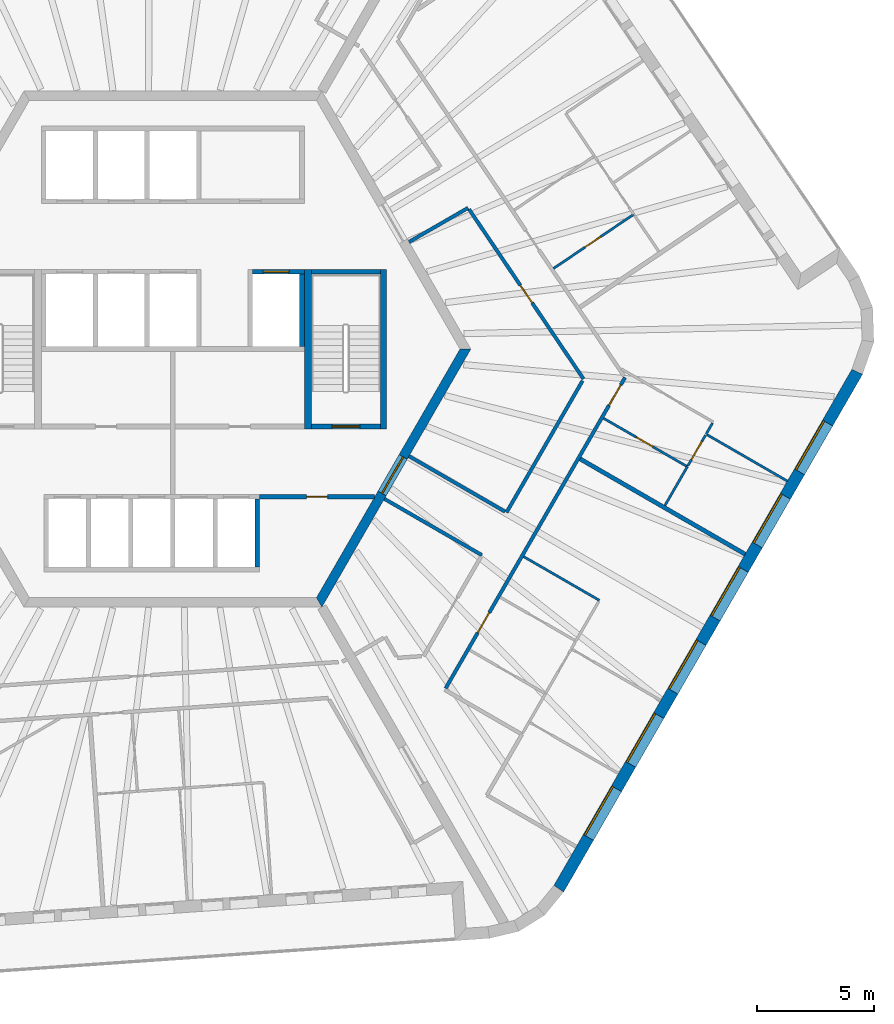
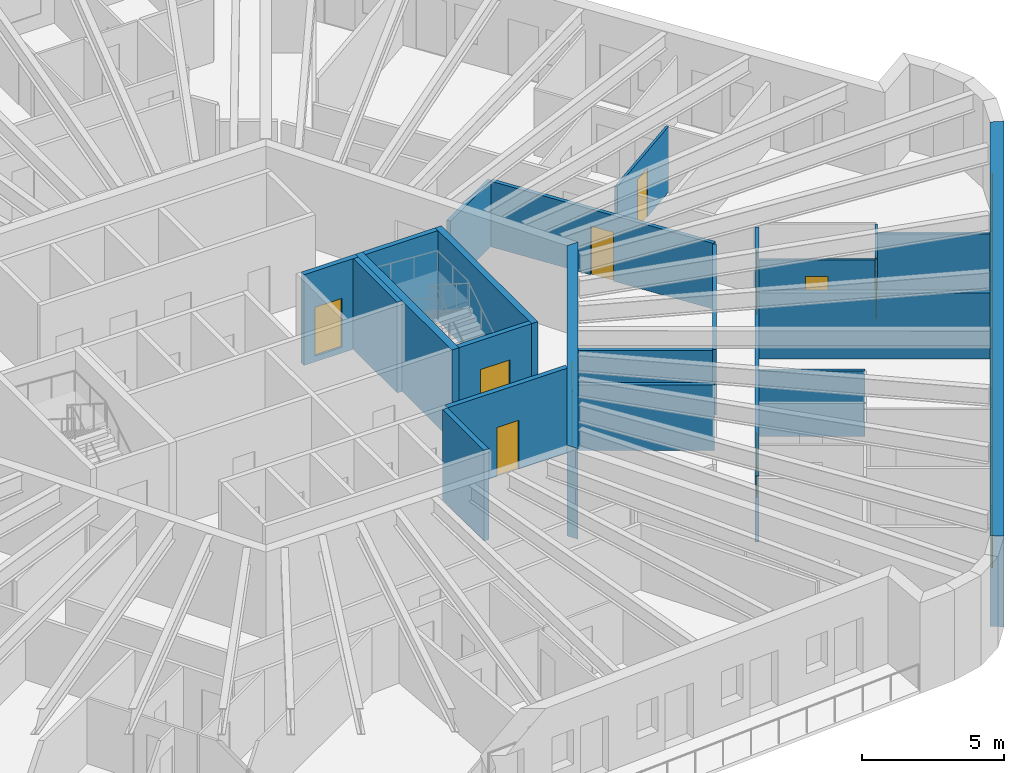
# One storey, part 7 of 12: 24 walls, 10 doors, 6 windows, 16 openings.
"""IFC4 building model written with IfcOpenShell, lengths in metres."""

import ifcopenshell
import ifcopenshell.guid

model = None  # the IFC model being written
_history = None  # IfcOwnerHistory: only IFC2X3 demands one
_inside = {}  # id of a spatial element -> (the spatial element, [elements in it])
_under = {}  # id of a project, library or spatial element -> (it, [spatial elements below it])
_declared = {}  # id of a project -> (the project, [libraries it declares])
_typed = {}  # id of a type object -> (the type object, [elements of that type])
_made_of = {}  # id of a material, layer set ... -> (it, [elements and type objects made of it])


def new_model(schema):
    """Start an empty IFC model of exactly this schema.

    Asked for "IFC4X3", IfcOpenShell would pick the latest addendum, in which some entities
    have other attributes; the version numbers below select the first issue.
    IFC2X3 requires an IfcOwnerHistory on every rooted entity: one is made here for all.
    """
    global model, _history
    if schema == "IFC4X3":
        model = ifcopenshell.file(schema_version=(4, 3, 0, 0))
    else:
        model = ifcopenshell.file(schema=schema)
    _inside.clear()
    _under.clear()
    _declared.clear()
    _typed.clear()
    _made_of.clear()
    _history = None
    if model.schema == "IFC2X3":
        org = make("IfcOrganization", Name="unknown")
        user = make(
            "IfcPersonAndOrganization",
            ThePerson=make("IfcPerson", FamilyName="unknown"),
            TheOrganization=org,
        )
        app = make(
            "IfcApplication",
            ApplicationDeveloper=org,
            Version="unknown",
            ApplicationFullName="unknown",
            ApplicationIdentifier="unknown",
        )
        _history = make(
            "IfcOwnerHistory",
            OwningUser=user,
            OwningApplication=app,
            ChangeAction="ADDED",
            CreationDate=0,
        )
    return model


def make(cls, **values):
    """One entity of the class cls with the attributes given. An attribute that is None is left unset."""
    return model.create_entity(
        cls, **{name: value for name, value in values.items() if value is not None}
    )


def rooted(cls, **values):
    """An entity with a GlobalId (a new one), such as an element, a storey or a relation."""
    return make(cls, GlobalId=ifcopenshell.guid.new(), OwnerHistory=_history, **values)


def si_unit(unit_type, name, prefix=None):
    """IfcSIUnit, for example si_unit("LENGTHUNIT", "METRE", prefix="MILLI")."""
    return make("IfcSIUnit", UnitType=unit_type, Prefix=prefix, Name=name)


def assignment(units):
    """IfcUnitAssignment: the units of a project."""
    return None if units is None else make("IfcUnitAssignment", Units=units)


def point(xyz):
    """IfcCartesianPoint."""
    return None if xyz is None else make("IfcCartesianPoint", Coordinates=xyz)


def direction(xyz):
    """IfcDirection."""
    return None if xyz is None else make("IfcDirection", DirectionRatios=xyz)


def frame(location, z_axis=None, x_axis=None):
    """IfcAxis2Placement3D, a coordinate frame: its origin and axes. An axis left out is left unset."""
    return make(
        "IfcAxis2Placement3D",
        Location=point(location),
        Axis=direction(z_axis),
        RefDirection=direction(x_axis),
    )


def frame_2d(location, x_axis=None):
    """IfcAxis2Placement2D, a coordinate frame in the plane: its origin and x axis."""
    return make(
        "IfcAxis2Placement2D", Location=point(location), RefDirection=direction(x_axis)
    )


def origin():
    """The frame at (0, 0, 0) with its axes left unset."""
    return frame((0.0, 0.0, 0.0))


def place(relative_to, where):
    """IfcLocalPlacement: puts the frame where relative to a parent placement (None: the world)."""
    return make(
        "IfcLocalPlacement", PlacementRelTo=relative_to, RelativePlacement=where
    )


def context(
    kind, dimensions, precision=None, world=None, true_north=None, identifier=None
):
    """IfcGeometricRepresentationContext, for example the 3D "Model" context."""
    return make(
        "IfcGeometricRepresentationContext",
        ContextIdentifier=identifier,
        ContextType=kind,
        CoordinateSpaceDimension=dimensions,
        Precision=precision,
        WorldCoordinateSystem=world,
        TrueNorth=true_north,
    )


def subcontext(parent, identifier, kind, view, scale=None):
    """IfcGeometricRepresentationSubContext, for example "Body" below "Model"."""
    return make(
        "IfcGeometricRepresentationSubContext",
        ContextIdentifier=identifier,
        ContextType=kind,
        ParentContext=parent,
        TargetScale=scale,
        TargetView=view,
    )


def project(units=None, contexts=None):
    """IfcProject with its units and contexts."""
    return rooted(
        "IfcProject",
        Name="project",
        RepresentationContexts=contexts,
        UnitsInContext=assignment(units),
    )


def spatial(cls, under=None, at=None, **own):
    """A site, building, storey or space (cls), placed at a placement, below another one or the project."""
    s = rooted(cls, ObjectPlacement=at, **own)
    if under is not None:
        _under.setdefault(under.id(), (under, []))[1].append(s)
    return s


def polyline(points):
    """IfcPolyline through the points."""
    return make("IfcPolyline", Points=[point(p) for p in points])


def profile(cls, at=None, kind="AREA", **sizes):
    """A parametric profile (cls). Its sizes go by their IFC names, for example OverallWidth=200.0."""
    return make(cls, ProfileType=kind, Position=at, **sizes)


def rectangle(**sizes):
    """IfcRectangleProfileDef."""
    return profile("IfcRectangleProfileDef", **sizes)


def outline(outer, holes=None, kind="AREA"):
    """IfcArbitraryClosedProfileDef: a profile drawn as a closed curve; with holes, ...WithVoids."""
    if holes is None:
        return make("IfcArbitraryClosedProfileDef", ProfileType=kind, OuterCurve=outer)
    return make(
        "IfcArbitraryProfileDefWithVoids",
        ProfileType=kind,
        OuterCurve=outer,
        InnerCurves=holes,
    )


def extrude(swept, where, along, depth):
    """IfcExtrudedAreaSolid: the profile swept, set in the frame where, extruded along a direction by depth."""
    return make(
        "IfcExtrudedAreaSolid",
        SweptArea=swept,
        Position=where,
        ExtrudedDirection=direction(along),
        Depth=depth,
    )


def shape(context_of_items, identifier, shape_type, items):
    """IfcShapeRepresentation: the items that make up one representation, for example the "Body"."""
    return make(
        "IfcShapeRepresentation",
        ContextOfItems=context_of_items,
        RepresentationIdentifier=identifier,
        RepresentationType=shape_type,
        Items=items,
    )


def material(Name=None, Category=None):
    """IfcMaterial."""
    return make("IfcMaterial", Name=Name, Category=Category)


def layer(
    of_material, thickness, ventilated=None, Name=None, Category=None, Priority=None
):
    """IfcMaterialLayer: one layer of a wall or slab, of a material (None: an air gap)."""
    return make(
        "IfcMaterialLayer",
        Material=of_material,
        LayerThickness=thickness,
        IsVentilated=ventilated,
        Name=Name,
        Category=Category,
        Priority=Priority,
    )


def layer_set(layers, Name=None):
    """IfcMaterialLayerSet."""
    return make("IfcMaterialLayerSet", MaterialLayers=layers, LayerSetName=Name)


def made_of(thing, what):
    """Note that an element or type object is made of a material, layer set ...; save() writes the relation."""
    if what is not None:
        _made_of.setdefault(what.id(), (what, []))[1].append(thing)
    return thing


def type_object(cls, material=None, **own):
    """A type object (cls), such as IfcWallType, which elements share."""
    return made_of(rooted(cls, **own), material)


def element(
    cls,
    number,
    at=None,
    inside=None,
    cuts=None,
    type_object=None,
    material=None,
    context=None,
    identifier="Body",
    shape_type=None,
    held_by="IfcProductDefinitionShape",
    body=None,
    shapes=None,
    **own,
):
    """One element of the class cls, such as IfcWall. Its Tag is "e" and its number.

    at: its placement. inside: the storey or other place that contains it. cuts: it is an
    opening in that element (IfcRelVoidsElement). A single representation is given by context,
    identifier, shape_type and body (its items); several are given by shapes. held_by: the class
    of the entity that holds the representations. save() writes the other relations.
    """
    e = rooted(cls, Tag="e%d" % number, ObjectPlacement=at, **own)
    if body is not None:
        shapes = [shape(context, identifier, shape_type, body)]
    if shapes is not None:
        e.Representation = make(held_by, Representations=shapes)
    if inside is not None:
        _inside.setdefault(inside.id(), (inside, []))[1].append(e)
    if cuts is not None:
        rooted(
            "IfcRelVoidsElement", RelatingBuildingElement=cuts, RelatedOpeningElement=e
        )
    if type_object is not None:
        _typed.setdefault(type_object.id(), (type_object, []))[1].append(e)
    return made_of(e, material)


def fill(opening, filler):
    """IfcRelFillsElement: the door or window that sits in an opening."""
    return rooted(
        "IfcRelFillsElement",
        RelatingOpeningElement=opening,
        RelatedBuildingElement=filler,
    )


def aggregate(whole, parts):
    """IfcRelAggregates: a whole, such as a stair, and the parts it consists of."""
    return rooted("IfcRelAggregates", RelatingObject=whole, RelatedObjects=parts)


def save(model, path):
    """Write the relations noted so far, then the file.

    IfcRelAggregates (storeys below a building ...), IfcRelContainedInSpatialStructure (elements
    in a storey), IfcRelDefinesByType, IfcRelAssociatesMaterial and IfcRelDeclares: one each for
    every whole, place, type object, material and project.
    """
    for whole, parts in _under.values():
        aggregate(whole, parts)
    for where, things in _inside.values():
        rooted(
            "IfcRelContainedInSpatialStructure",
            RelatedElements=things,
            RelatingStructure=where,
        )
    for kind, things in _typed.values():
        rooted("IfcRelDefinesByType", RelatedObjects=things, RelatingType=kind)
    for what, things in _made_of.values():
        rooted("IfcRelAssociatesMaterial", RelatedObjects=things, RelatingMaterial=what)
    for by, libraries in _declared.values():
        rooted("IfcRelDeclares", RelatingContext=by, RelatedDefinitions=libraries)
    model.write(path)


model = new_model("IFC4")

# Units and contexts
model_context = context("Model", 3, precision=1e-05, world=origin(), true_north=direction((0.0, 1.0)))
body_context = subcontext(model_context, "Body", "Model", "MODEL_VIEW")
ifc_project = project(units=[si_unit("LENGTHUNIT", "METRE"), si_unit("AREAUNIT", "SQUARE_METRE"), si_unit("VOLUMEUNIT", "CUBIC_METRE"), si_unit("PLANEANGLEUNIT", "RADIAN"), si_unit("MASSUNIT", "GRAM", prefix="KILO")], contexts=[model_context])

# Site, building, storey
site_placement = place(None, origin())
site = spatial("IfcSite", under=ifc_project, at=site_placement, CompositionType="ELEMENT")
building_placement = place(site_placement, origin())
building = spatial("IfcBuilding", under=site, at=building_placement, Name="Tarnside Tower", CompositionType="ELEMENT")
storey_placement = place(building_placement, frame((0.0, 0.0, 264.0)))
storey = spatial("IfcBuildingStorey", under=building, at=storey_placement, Name="L63", CompositionType="ELEMENT", Elevation=264.0)

# Wall
ifc_material_1 = material(Name="Gypsum board partition on steel studs", Category="steel")
ifc_layer_1 = layer(ifc_material_1, 0.10009765625)
ifc_layer_set_1 = layer_set([ifc_layer_1], Name="Bathroom wall 100")
wall_type_1 = type_object("IfcWallType", Name="Bathroom wall 100", PredefinedType="PARTITIONING", material=ifc_layer_set_1)
wall_1_placement = place(storey_placement, frame((14.9541015625, -8.8486328125, 0.0), z_axis=(0.0, 0.0, 1.0), x_axis=(0.866028424924, -0.499994767197, 0.0)))
element("IfcWall", 1, at=wall_1_placement, inside=storey, type_object=wall_type_1, Name="Bathroom wall 20141", PredefinedType="PARTITIONING", context=body_context, shape_type="SweptSolid", body=[
    extrude(rectangle(XDim=3.72509765625, YDim=0.10009765625, at=frame_2d((1.862548828125, 0.0))), origin(), (0.0, 0.0, 1.0), 2.823486328125),
])

# Wall, opening, door
wall_2_placement = place(storey_placement, frame((18.359619140625, -2.9501953125, 0.0), z_axis=(0.0, 0.0, 1.0), x_axis=(0.866019999656, -0.500009360108, 0.0)))
wall_2 = element("IfcWall", 2, at=wall_2_placement, inside=storey, type_object=wall_type_1, Name="Bathroom wall 20156", PredefinedType="PARTITIONING", context=body_context, shape_type="SweptSolid", body=[
    extrude(rectangle(XDim=4.125, YDim=0.10009765625, at=frame_2d((2.0625, 0.0))), origin(), (0.0, 0.0, 1.0), 2.823486328125),
])
opening_1_placement = place(wall_2_placement, frame((1.625, 0.0, 0.0)))
opening_1 = element("IfcOpeningElement", 3, at=opening_1_placement, cuts=wall_2, Name="Opening D-B1", PredefinedType="OPENING", context=body_context, shape_type="SweptSolid", body=[
    extrude(rectangle(XDim=0.800048828125, YDim=2.10009765625, at=frame_2d((0.39990234375, 1.050048828125))), frame((0.0, 0.06005859375, 0.0), z_axis=(0.0, -1.0, 0.0), x_axis=(1.0, 0.0, 0.0)), (0.0, 0.0, 1.0), 0.1201171875),
])
ifc_material_2 = material(Name="Timber door leaf", Category="wood")
door_type_1 = type_object("IfcDoorType", Name="Bathroom door 800", OperationType="NOTDEFINED", PredefinedType="DOOR", material=ifc_material_2)
door_1_placement = place(opening_1_placement, origin())
door_1 = element("IfcDoor", 4, at=door_1_placement, inside=storey, type_object=door_type_1, Name="Bathroom door 20062", OperationType="SINGLE_SWING_RIGHT", OverallHeight=2.10009765625, OverallWidth=0.800048828125, PredefinedType="DOOR", context=body_context, shape_type="SweptSolid", body=[
    extrude(rectangle(XDim=0.800048828125, YDim=2.10009765625, at=frame_2d((0.39990234375, 1.050048828125))), frame((0.0, 0.02490234375, 0.0), z_axis=(0.0, -1.0, 0.0), x_axis=(1.0, 0.0, 0.0)), (0.0, 0.0, 1.0), 0.050048828125),
])
fill(opening_1, door_1)

# Wall
wall_3_placement = place(storey_placement, frame((20.97705078125, -6.666748046875, 0.0), z_axis=(0.0, 0.0, 1.0), x_axis=(0.49994353734, 0.866058000062, 0.0)))
element("IfcWall", 5, at=wall_3_placement, inside=storey, type_object=wall_type_1, Name="Bathroom wall 20158", PredefinedType="PARTITIONING", context=body_context, shape_type="SweptSolid", body=[
    extrude(rectangle(XDim=1.911865234375, YDim=0.10009765625, at=frame_2d((0.9560546875, 0.0))), origin(), (0.0, 0.0, 1.0), 2.823486328125),
])

# Wall, opening, door
wall_4_placement = place(storey_placement, frame((16.227294921875, 3.43701171875, 0.0), z_axis=(0.0, 0.0, 1.0), x_axis=(0.829033204172, 0.559199379811, 0.0)))
wall_4 = element("IfcWall", 6, at=wall_4_placement, inside=storey, type_object=wall_type_1, Name="Bathroom wall 20163", PredefinedType="PARTITIONING", context=body_context, shape_type="SweptSolid", body=[
    extrude(rectangle(XDim=4.125, YDim=0.10009765625, at=frame_2d((2.0625, 0.0))), origin(), (0.0, 0.0, 1.0), 2.823486328125),
])
opening_2_placement = place(wall_4_placement, frame((1.625, 0.0, 0.0)))
opening_2 = element("IfcOpeningElement", 7, at=opening_2_placement, cuts=wall_4, Name="Opening D-B1", PredefinedType="OPENING", context=body_context, shape_type="SweptSolid", body=[
    extrude(rectangle(XDim=0.800048828125, YDim=2.10009765625, at=frame_2d((0.39990234375, 1.050048828125))), frame((0.0, 0.06005859375, 0.0), z_axis=(0.0, -1.0, 0.0), x_axis=(1.0, 0.0, 0.0)), (0.0, 0.0, 1.0), 0.1201171875),
])
door_2_placement = place(opening_2_placement, origin())
door_2 = element("IfcDoor", 8, at=door_2_placement, inside=storey, type_object=door_type_1, Name="Bathroom door 20066", OperationType="SINGLE_SWING_RIGHT", OverallHeight=2.10009765625, OverallWidth=0.800048828125, PredefinedType="DOOR", context=body_context, shape_type="SweptSolid", body=[
    extrude(rectangle(XDim=0.800048828125, YDim=2.10009765625, at=frame_2d((0.39990234375, 1.050048828125))), frame((0.0, 0.02490234375, 0.0), z_axis=(0.0, -1.0, 0.0), x_axis=(1.0, 0.0, 0.0)), (0.0, 0.0, 1.0), 0.050048828125),
])
fill(opening_2, door_2)

ifc_material_3 = material(Name="Concrete C40/50", Category="concrete")
ifc_layer_2 = layer(ifc_material_3, 0.199951171875)
ifc_layer_set_2 = layer_set([ifc_layer_2], Name="Core room partition 200 C40/50")
wall_type_2 = type_object("IfcWallType", Name="Core room partition 200 C40/50", PredefinedType="PARTITIONING", material=ifc_layer_set_2)
wall_5_placement = place(storey_placement, frame((3.699951171875, -6.300048828125, 0.0), z_axis=(0.0, 0.0, 1.0), x_axis=(1.0, 0.0, 0.0)))
wall_5 = element("IfcWall", 9, at=wall_5_placement, inside=storey, type_object=wall_type_2, Name="L63 core partition R4X", PredefinedType="PARTITIONING", context=body_context, shape_type="SweptSolid", body=[
    extrude(rectangle(XDim=4.902587890625, YDim=0.199951171875, at=frame_2d((2.451171875, 0.0))), origin(), (0.0, 0.0, 1.0), 3.64990234375),
])
opening_3_placement = place(wall_5_placement, frame((2.001220703125, 0.0, 0.0)))
opening_3 = element("IfcOpeningElement", 10, at=opening_3_placement, cuts=wall_5, Name="Opening CD-room", PredefinedType="OPENING", context=body_context, shape_type="SweptSolid", body=[
    extrude(rectangle(XDim=0.89990234375, YDim=2.10009765625, at=frame_2d((0.449951171875, 1.050048828125))), frame((0.0, 0.10986328125, 0.0), z_axis=(0.0, -1.0, 0.0), x_axis=(1.0, 0.0, 0.0)), (0.0, 0.0, 1.0), 0.219970703125),
])
ifc_material_4 = material(Name="Steel fire door", Category="steel")
door_type_2 = type_object("IfcDoorType", Name="Room door FD60 900x2100", OperationType="NOTDEFINED", PredefinedType="DOOR", material=ifc_material_4)
door_3_placement = place(opening_3_placement, origin())
door_3 = element("IfcDoor", 11, at=door_3_placement, inside=storey, type_object=door_type_2, Name="L63 core room door RX", OperationType="SINGLE_SWING_LEFT", OverallHeight=2.10009765625, OverallWidth=0.89990234375, PredefinedType="DOOR", context=body_context, shape_type="SweptSolid", body=[
    extrude(rectangle(XDim=0.89990234375, YDim=2.10009765625, at=frame_2d((0.449951171875, 1.050048828125))), frame((0.0, 0.02490234375, 0.0), z_axis=(0.0, -1.0, 0.0), x_axis=(1.0, 0.0, 0.0)), (0.0, 0.0, 1.0), 0.050048828125),
])
fill(opening_3, door_3)

ifc_material_5 = material(Name="Concrete C60/75", Category="concrete")
ifc_layer_3 = layer(ifc_material_5, 0.39990234375)
ifc_layer_set_3 = layer_set([ifc_layer_3], Name="Core wall Z3 400 C60/75")
wall_type_3 = type_object("IfcWallType", Name="Core wall Z3 400 C60/75", PredefinedType="SHEAR", material=ifc_layer_set_3)
wall_6_placement = place(storey_placement, frame((6.2353515625, -10.800048828125, -0.14990234375), z_axis=(0.0, 0.0, 1.0), x_axis=(0.499996419489, 0.866027470984, 0.0)))
wall_6 = element("IfcWall", 12, at=wall_6_placement, inside=storey, type_object=wall_type_3, Name="L63 core wall face 5", PredefinedType="SHEAR", context=body_context, shape_type="SweptSolid", body=[
    extrude(outline(polyline([(-0.115478515625, -0.199951171875), (12.586181640625, -0.199951171875), (12.355224609375, 0.199951171875), (0.115478515625, 0.199951171875), (-0.115478515625, -0.199951171875)])), origin(), (0.0, 0.0, 1.0), 3.89990234375),
])
opening_4_placement = place(wall_6_placement, frame((5.3642578125, 0.0, 0.14990234375)))
opening_4 = element("IfcOpeningElement", 13, at=opening_4_placement, cuts=wall_6, Name="Opening CD-FFL", PredefinedType="OPENING", context=body_context, shape_type="SweptSolid", body=[
    extrude(rectangle(XDim=1.800048828125, YDim=2.39990234375, at=frame_2d((0.89990234375, 1.199951171875))), frame((0.0, 0.2099609375, 0.0), z_axis=(0.0, -1.0, 0.0), x_axis=(1.0, 0.0, 0.0)), (0.0, 0.0, 1.0), 0.419921875),
])
door_type_3 = type_object("IfcDoorType", Name="Firefighting lobby double door FD60S 1800x2400", OperationType="NOTDEFINED", PredefinedType="DOOR", material=ifc_material_4)
door_4_placement = place(opening_4_placement, origin())
door_4 = element("IfcDoor", 14, at=door_4_placement, inside=storey, type_object=door_type_3, Name="L63 core door P4", OperationType="DOUBLE_DOOR_SINGLE_SWING", OverallHeight=2.39990234375, OverallWidth=1.800048828125, PredefinedType="DOOR", context=body_context, shape_type="SweptSolid", body=[
    extrude(rectangle(XDim=1.800048828125, YDim=2.39990234375, at=frame_2d((0.89990234375, 1.199951171875))), frame((0.0, 0.02490234375, 0.0), z_axis=(0.0, -1.0, 0.0), x_axis=(1.0, 0.0, 0.0)), (0.0, 0.0, 1.0), 0.050048828125),
])
fill(opening_4, door_4)

# Wall, openings, doors
ifc_layer_4 = layer(ifc_material_1, 0.14990234375)
ifc_layer_set_4 = layer_set([ifc_layer_4], Name="Corridor wall 150 EI 60")
wall_type_4 = type_object("IfcWallType", Name="Corridor wall 150 EI 60", PredefinedType="PARTITIONING", material=ifc_layer_set_4)
wall_7_placement = place(storey_placement, frame((11.626708984375, -14.4619140625, 0.0), z_axis=(0.0, 0.0, 1.0), x_axis=(0.499994634027, 0.866028501808, 0.0)))
wall_7 = element("IfcWall", 15, at=wall_7_placement, inside=storey, type_object=wall_type_4, Name="Corridor wall 20052", PredefinedType="PARTITIONING", context=body_context, shape_type="SweptSolid", body=[
    extrude(rectangle(XDim=15.296142578125, YDim=0.14990234375, at=frame_2d((7.64794921875, 0.0))), origin(), (0.0, 0.0, 1.0), 2.823486328125),
])
opening_5_placement = place(wall_7_placement, frame((2.72509765625, 0.0, 0.0)))
opening_5 = element("IfcOpeningElement", 16, at=opening_5_placement, cuts=wall_7, Name="Opening D-E1", PredefinedType="OPENING", context=body_context, shape_type="SweptSolid", body=[
    extrude(rectangle(XDim=1.0, YDim=2.10009765625, at=frame_2d((0.5, 1.050048828125))), frame((0.0, 0.0849609375, 0.0), z_axis=(0.0, -1.0, 0.0), x_axis=(1.0, 0.0, 0.0)), (0.0, 0.0, 1.0), 0.169921875),
])
opening_6_placement = place(wall_7_placement, frame((13.93603515625, 0.0, 0.0)))
opening_6 = element("IfcOpeningElement", 17, at=opening_6_placement, cuts=wall_7, Name="Opening D-E1", PredefinedType="OPENING", context=body_context, shape_type="SweptSolid", body=[
    extrude(rectangle(XDim=1.0, YDim=2.10009765625, at=frame_2d((0.5, 1.050048828125))), frame((0.0, 0.0849609375, 0.0), z_axis=(0.0, -1.0, 0.0), x_axis=(1.0, 0.0, 0.0)), (0.0, 0.0, 1.0), 0.169921875),
])
door_type_4 = type_object("IfcDoorType", Name="Unit entrance door 1000 FD30S", OperationType="NOTDEFINED", PredefinedType="DOOR", material=ifc_material_2)
door_5_placement = place(opening_5_placement, origin())
door_5 = element("IfcDoor", 18, at=door_5_placement, inside=storey, type_object=door_type_4, Name="Unit door 20050", OperationType="SINGLE_SWING_LEFT", OverallHeight=2.10009765625, OverallWidth=1.0, PredefinedType="DOOR", context=body_context, shape_type="SweptSolid", body=[
    extrude(rectangle(XDim=1.0, YDim=2.10009765625, at=frame_2d((0.5, 1.050048828125))), frame((0.0, 0.02490234375, 0.0), z_axis=(0.0, -1.0, 0.0), x_axis=(1.0, 0.0, 0.0)), (0.0, 0.0, 1.0), 0.050048828125),
])
fill(opening_5, door_5)
door_6_placement = place(opening_6_placement, origin())
door_6 = element("IfcDoor", 19, at=door_6_placement, inside=storey, type_object=door_type_4, Name="Unit door 20061", OperationType="SINGLE_SWING_LEFT", OverallHeight=2.10009765625, OverallWidth=1.0, PredefinedType="DOOR", context=body_context, shape_type="SweptSolid", body=[
    extrude(rectangle(XDim=1.0, YDim=2.10009765625, at=frame_2d((0.5, 1.050048828125))), frame((0.0, 0.02490234375, 0.0), z_axis=(0.0, -1.0, 0.0), x_axis=(1.0, 0.0, 0.0)), (0.0, 0.0, 1.0), 0.050048828125),
])
fill(opening_6, door_6)

# Wall
wall_8_placement = place(storey_placement, frame((10.065673828125, 4.565673828125, 0.0), z_axis=(0.0, 0.0, 1.0), x_axis=(0.866034661658, 0.49998396455, 0.0)))
element("IfcWall", 20, at=wall_8_placement, inside=storey, type_object=wall_type_4, Name="Corridor wall 20069", PredefinedType="PARTITIONING", context=body_context, shape_type="SweptSolid", body=[
    extrude(rectangle(XDim=2.9091796875, YDim=0.14990234375, at=frame_2d((1.45458984375, 0.0))), origin(), (0.0, 0.0, 1.0), 2.823486328125),
])

# Wall, opening, door
wall_9_placement = place(storey_placement, frame((12.627197265625, 5.9580078125, 0.0), z_axis=(0.0, 0.0, 1.0), x_axis=(0.559185493191, -0.829042570804, 0.0)))
wall_9 = element("IfcWall", 21, at=wall_9_placement, inside=storey, type_object=wall_type_4, Name="Corridor wall 20070", PredefinedType="PARTITIONING", context=body_context, shape_type="SweptSolid", body=[
    extrude(rectangle(XDim=8.726806640625, YDim=0.14990234375, at=frame_2d((4.36328125, 0.0))), origin(), (0.0, 0.0, 1.0), 2.823486328125),
])
opening_7_placement = place(wall_9_placement, frame((3.913330078125, 0.0, 0.0)))
opening_7 = element("IfcOpeningElement", 22, at=opening_7_placement, cuts=wall_9, Name="Opening D-S1", PredefinedType="OPENING", context=body_context, shape_type="SweptSolid", body=[
    extrude(rectangle(XDim=0.89990234375, YDim=2.10009765625, at=frame_2d((0.449951171875, 1.050048828125))), frame((0.0, 0.0849609375, 0.0), z_axis=(0.0, -1.0, 0.0), x_axis=(1.0, 0.0, 0.0)), (0.0, 0.0, 1.0), 0.169921875),
])
door_type_5 = type_object("IfcDoorType", Name="Service room door 900 FD30S", OperationType="NOTDEFINED", PredefinedType="DOOR", material=ifc_material_2)
door_7_placement = place(opening_7_placement, origin())
door_7 = element("IfcDoor", 23, at=door_7_placement, inside=storey, type_object=door_type_5, Name="Service door 20075", OperationType="SINGLE_SWING_RIGHT", OverallHeight=2.10009765625, OverallWidth=0.89990234375, PredefinedType="DOOR", context=body_context, shape_type="SweptSolid", body=[
    extrude(rectangle(XDim=0.89990234375, YDim=2.10009765625, at=frame_2d((0.449951171875, 1.050048828125))), frame((0.0, 0.02490234375, 0.0), z_axis=(0.0, -1.0, 0.0), x_axis=(1.0, 0.0, 0.0)), (0.0, 0.0, 1.0), 0.050048828125),
])
fill(opening_7, door_7)

# Walls
wall_10_placement = place(storey_placement, frame((17.46533203125, -1.34912109375, 0.0), z_axis=(0.0, 0.0, 1.0), x_axis=(-0.500001610943, -0.866024473704, 0.0)))
element("IfcWall", 24, at=wall_10_placement, inside=storey, type_object=wall_type_4, Name="Corridor wall 20071", PredefinedType="PARTITIONING", context=body_context, shape_type="SweptSolid", body=[
    extrude(rectangle(XDim=6.4853515625, YDim=0.14990234375, at=frame_2d((3.24267578125, 0.0))), origin(), (0.0, 0.0, 1.0), 2.823486328125),
])
wall_11_placement = place(storey_placement, frame((14.15771484375, -6.92822265625, 0.0), z_axis=(0.0, 0.0, 1.0), x_axis=(-0.866024684746, 0.500001245408, 0.0)))
element("IfcWall", 25, at=wall_11_placement, inside=storey, type_object=wall_type_4, Name="Corridor wall 20072", PredefinedType="PARTITIONING", context=body_context, shape_type="SweptSolid", body=[
    extrude(rectangle(XDim=4.72509765625, YDim=0.14990234375, at=frame_2d((2.362548828125, 0.0))), origin(), (0.0, 0.0, 1.0), 2.823486328125),
])
wall_12_placement = place(storey_placement, frame((9.015625, -6.38427734375, 0.0), z_axis=(0.0, 0.0, 1.0), x_axis=(0.866015339567, -0.500017431331, 0.0)))
element("IfcWall", 26, at=wall_12_placement, inside=storey, type_object=wall_type_4, Name="Corridor wall 20073", PredefinedType="PARTITIONING", context=body_context, shape_type="SweptSolid", body=[
    extrude(rectangle(XDim=4.800048828125, YDim=0.14990234375, at=frame_2d((2.39990234375, 0.0))), origin(), (0.0, 0.0, 1.0), 2.823486328125),
])
ifc_layer_5 = layer(ifc_material_1, 0.179931640625)
ifc_layer_set_5 = layer_set([ifc_layer_5], Name="Demising wall 180 EI 60")
wall_type_5 = type_object("IfcWallType", Name="Demising wall 180 EI 60", PredefinedType="PARTITIONING", material=ifc_layer_set_5)
wall_13_placement = place(storey_placement, frame((24.39599609375, -8.744873046875, 0.0), z_axis=(0.0, 0.0, 1.0), x_axis=(-0.866022959057, 0.500004234368, 0.0)))
element("IfcWall", 27, at=wall_13_placement, inside=storey, type_object=wall_type_5, Name="Demising wall 20143", PredefinedType="PARTITIONING", context=body_context, shape_type="SweptSolid", body=[
    extrude(rectangle(XDim=8.125, YDim=0.179931640625, at=frame_2d((4.0625, 0.0))), origin(), (0.0, 0.0, 1.0), 2.823486328125),
])

# Wall, opening, door
ifc_layer_6 = layer(ifc_material_3, 0.199951171875)
ifc_layer_set_6 = layer_set([ifc_layer_6], Name="Lift shaft wall 200 C40/50")
wall_type_6 = type_object("IfcWallType", Name="Lift shaft wall 200 C40/50", PredefinedType="SHEAR", material=ifc_layer_set_6)
wall_14_placement = place(storey_placement, frame((3.39990234375, 3.300048828125, -0.25), z_axis=(0.0, 0.0, 1.0), x_axis=(1.0, 0.0, 0.0)))
wall_14 = element("IfcWall", 28, at=wall_14_placement, inside=storey, type_object=wall_type_6, Name="L63 lift shaft front wall R2 2", PredefinedType="SHEAR", context=body_context, shape_type="SweptSolid", body=[
    extrude(rectangle(XDim=2.2001953125, YDim=0.199951171875, at=frame_2d((1.10009765625, 0.0))), origin(), (0.0, 0.0, 1.0), 3.89990234375),
])
opening_8_placement = place(wall_14_placement, frame((0.449951171875, 0.0, 0.25)))
opening_8 = element("IfcOpeningElement", 29, at=opening_8_placement, cuts=wall_14, Name="Opening LD", PredefinedType="OPENING", context=body_context, shape_type="SweptSolid", body=[
    extrude(rectangle(XDim=1.10009765625, YDim=2.10009765625, at=frame_2d((0.550048828125, 1.050048828125))), frame((0.0, 0.10986328125, 0.0), z_axis=(0.0, -1.0, 0.0), x_axis=(1.0, 0.0, 0.0)), (0.0, 0.0, 1.0), 0.219970703125),
])
ifc_material_6 = material(Name="Stainless steel", Category="steel")
door_type_6 = type_object("IfcDoorType", Name="Lift landing door 1100x2100", OperationType="NOTDEFINED", PredefinedType="DOOR", material=ifc_material_6)
door_8_placement = place(opening_8_placement, origin())
door_8 = element("IfcDoor", 30, at=door_8_placement, inside=storey, type_object=door_type_6, Name="Express sky-lobby shuttle 2 landing door L63", OperationType="SLIDING_TO_LEFT", OverallHeight=2.10009765625, OverallWidth=1.10009765625, PredefinedType="DOOR", context=body_context, shape_type="SweptSolid", body=[
    extrude(rectangle(XDim=1.10009765625, YDim=2.10009765625, at=frame_2d((0.550048828125, 1.050048828125))), frame((0.0, 0.02490234375, 0.0), z_axis=(0.0, -1.0, 0.0), x_axis=(1.0, 0.0, 0.0)), (0.0, 0.0, 1.0), 0.050048828125),
])
fill(opening_8, door_8)

# Walls
wall_15_placement = place(storey_placement, frame((5.5, 0.10009765625, -0.25), z_axis=(0.0, 0.0, 1.0), x_axis=(0.0, 1.0, 0.0)))
element("IfcWall", 31, at=wall_15_placement, inside=storey, type_object=wall_type_6, Name="L63 lift shaft partition R26", PredefinedType="SHEAR", context=body_context, shape_type="SweptSolid", body=[
    extrude(rectangle(XDim=3.099853515625, YDim=0.199951171875, at=frame_2d((1.5498046875, 0.0))), origin(), (0.0, 0.0, 1.0), 3.89990234375),
])
wall_16_placement = place(storey_placement, frame((3.60009765625, -9.300048828125, -0.25), z_axis=(0.0, 0.0, 1.0), x_axis=(0.0, 1.0, 0.0)))
element("IfcWall", 32, at=wall_16_placement, inside=storey, type_object=wall_type_6, Name="L63 lift shaft partition R46", PredefinedType="SHEAR", context=body_context, shape_type="SweptSolid", body=[
    extrude(rectangle(XDim=2.900146484375, YDim=0.199951171875, at=frame_2d((1.4501953125, 0.0))), origin(), (0.0, 0.0, 1.0), 3.89990234375),
])
wall_17_placement = place(storey_placement, frame((5.89990234375, 3.300048828125, -0.25), z_axis=(0.0, 0.0, 1.0), x_axis=(1.0, 0.0, 0.0)))
element("IfcWall", 33, at=wall_17_placement, inside=storey, type_object=wall_type_6, Name="L63 stair 1 enclosure cap wall n", PredefinedType="SHEAR", context=body_context, shape_type="SweptSolid", body=[
    extrude(rectangle(XDim=2.9501953125, YDim=0.199951171875, at=frame_2d((1.47509765625, 0.0))), origin(), (0.0, 0.0, 1.0), 3.89990234375),
])

# Wall, opening, door
wall_18_placement = place(storey_placement, frame((5.89990234375, -3.300048828125, -0.25), z_axis=(0.0, 0.0, 1.0), x_axis=(1.0, 0.0, 0.0)))
wall_18 = element("IfcWall", 34, at=wall_18_placement, inside=storey, type_object=wall_type_6, Name="L63 stair 1 enclosure cap wall s", PredefinedType="SHEAR", context=body_context, shape_type="SweptSolid", body=[
    extrude(rectangle(XDim=2.9501953125, YDim=0.199951171875, at=frame_2d((1.47509765625, 0.0))), origin(), (0.0, 0.0, 1.0), 3.89990234375),
])
opening_9_placement = place(wall_18_placement, frame((0.875, 0.0, 0.25)))
opening_9 = element("IfcOpeningElement", 35, at=opening_9_placement, cuts=wall_18, Name="Opening CD-STR", PredefinedType="OPENING", context=body_context, shape_type="SweptSolid", body=[
    extrude(rectangle(XDim=1.199951171875, YDim=2.39990234375, at=frame_2d((0.60009765625, 1.199951171875))), frame((0.0, 0.10986328125, 0.0), z_axis=(0.0, -1.0, 0.0), x_axis=(1.0, 0.0, 0.0)), (0.0, 0.0, 1.0), 0.219970703125),
])
door_type_7 = type_object("IfcDoorType", Name="Stair door FD60S 1200x2400", OperationType="NOTDEFINED", PredefinedType="DOOR", material=ifc_material_4)
door_9_placement = place(opening_9_placement, origin())
door_9 = element("IfcDoor", 36, at=door_9_placement, inside=storey, type_object=door_type_7, Name="L63 stair 1 door", OperationType="SINGLE_SWING_LEFT", OverallHeight=2.39990234375, OverallWidth=1.199951171875, PredefinedType="DOOR", context=body_context, shape_type="SweptSolid", body=[
    extrude(rectangle(XDim=1.199951171875, YDim=2.39990234375, at=frame_2d((0.60009765625, 1.199951171875))), frame((0.0, 0.02490234375, 0.0), z_axis=(0.0, -1.0, 0.0), x_axis=(1.0, 0.0, 0.0)), (0.0, 0.0, 1.0), 0.050048828125),
])
fill(opening_9, door_9)

# Walls
ifc_layer_7 = layer(ifc_material_1, 0.10009765625)
ifc_layer_set_7 = layer_set([ifc_layer_7], Name="Partition 100")
wall_type_7 = type_object("IfcWallType", Name="Partition 100", PredefinedType="PARTITIONING", material=ifc_layer_set_7)
wall_19_placement = place(storey_placement, frame((23.0068359375, -3.15087890625, 0.0), z_axis=(0.0, 0.0, 1.0), x_axis=(-0.499850094852, -0.866111934265, 0.0)))
element("IfcWall", 37, at=wall_19_placement, inside=storey, type_object=wall_type_7, Name="Partition wall 20152", PredefinedType="PARTITIONING", context=body_context, shape_type="SweptSolid", body=[
    extrude(rectangle(XDim=0.552001953125, YDim=0.10009765625, at=frame_2d((0.27587890625, 0.0))), origin(), (0.0, 0.0, 1.0), 2.823486328125),
])
wall_20_placement = place(storey_placement, frame((22.775146484375, -3.652099609375, 0.0), z_axis=(0.0, 0.0, 1.0), x_axis=(0.866020906874, -0.500007788796, 0.0)))
element("IfcWall", 38, at=wall_20_placement, inside=storey, type_object=wall_type_7, Name="Partition wall 20153", PredefinedType="PARTITIONING", context=body_context, shape_type="SweptSolid", body=[
    extrude(rectangle(XDim=3.9501953125, YDim=0.10009765625, at=frame_2d((1.97509765625, 0.0))), origin(), (0.0, 0.0, 1.0), 2.823486328125),
])

# Wall, opening, door
wall_21_placement = place(storey_placement, frame((21.9560546875, -4.97119140625, 0.0), z_axis=(0.0, 0.0, 1.0), x_axis=(0.499985098601, 0.86603400694, 0.0)))
wall_21 = element("IfcWall", 39, at=wall_21_placement, inside=storey, type_object=wall_type_7, Name="Partition wall 20157", PredefinedType="PARTITIONING", context=body_context, shape_type="SweptSolid", body=[
    extrude(rectangle(XDim=1.501953125, YDim=0.10009765625, at=frame_2d((0.7509765625, 0.0))), origin(), (0.0, 0.0, 1.0), 2.823486328125),
])
opening_10_placement = place(wall_21_placement, frame((0.302001953125, 0.0, 0.0)))
opening_10 = element("IfcOpeningElement", 40, at=opening_10_placement, cuts=wall_21, Name="Opening D-I1", PredefinedType="OPENING", context=body_context, shape_type="SweptSolid", body=[
    extrude(rectangle(XDim=0.89990234375, YDim=2.10009765625, at=frame_2d((0.449951171875, 1.050048828125))), frame((0.0, 0.06005859375, 0.0), z_axis=(0.0, -1.0, 0.0), x_axis=(1.0, 0.0, 0.0)), (0.0, 0.0, 1.0), 0.1201171875),
])
door_type_8 = type_object("IfcDoorType", Name="Internal door 900", OperationType="NOTDEFINED", PredefinedType="DOOR", material=ifc_material_2)
door_10_placement = place(opening_10_placement, origin())
door_10 = element("IfcDoor", 41, at=door_10_placement, inside=storey, type_object=door_type_8, Name="Internal door 20064", OperationType="SINGLE_SWING_RIGHT", OverallHeight=2.10009765625, OverallWidth=0.89990234375, PredefinedType="DOOR", context=body_context, shape_type="SweptSolid", body=[
    extrude(rectangle(XDim=0.89990234375, YDim=2.10009765625, at=frame_2d((0.449951171875, 1.050048828125))), frame((0.0, 0.02490234375, 0.0), z_axis=(0.0, -1.0, 0.0), x_axis=(1.0, 0.0, 0.0)), (0.0, 0.0, 1.0), 0.050048828125),
])
fill(opening_10, door_10)

# Walls
ifc_layer_8 = layer(ifc_material_3, 0.25)
ifc_layer_set_8 = layer_set([ifc_layer_8], Name="Stair enclosure wall 250 C40/50")
wall_type_8 = type_object("IfcWallType", Name="Stair enclosure wall 250 C40/50", PredefinedType="SHEAR", material=ifc_layer_set_8)
wall_22_placement = place(storey_placement, frame((8.97509765625, -3.39990234375, -0.25), z_axis=(0.0, 0.0, 1.0), x_axis=(0.0, 1.0, 0.0)))
element("IfcWall", 42, at=wall_22_placement, inside=storey, type_object=wall_type_8, Name="L63 stair 1 enclosure wall outer", PredefinedType="SHEAR", context=body_context, shape_type="SweptSolid", body=[
    extrude(rectangle(XDim=6.7998046875, YDim=0.25, at=frame_2d((3.39990234375, 0.0))), origin(), (0.0, 0.0, 1.0), 3.89990234375),
])
ifc_layer_9 = layer(ifc_material_3, 0.300048828125)
ifc_layer_set_9 = layer_set([ifc_layer_9], Name="Stair enclosure wall 300 C40/50")
wall_type_9 = type_object("IfcWallType", Name="Stair enclosure wall 300 C40/50", PredefinedType="SHEAR", material=ifc_layer_set_9)
wall_23_placement = place(storey_placement, frame((5.75, -3.39990234375, -0.25), z_axis=(0.0, 0.0, 1.0), x_axis=(0.0, 1.0, 0.0)))
element("IfcWall", 43, at=wall_23_placement, inside=storey, type_object=wall_type_9, Name="L63 stair 1 enclosure wall inner", PredefinedType="SHEAR", context=body_context, shape_type="SweptSolid", body=[
    extrude(rectangle(XDim=6.7998046875, YDim=0.300048828125, at=frame_2d((3.39990234375, 0.0))), origin(), (0.0, 0.0, 1.0), 3.89990234375),
])

# Wall, openings, windows
ifc_material_7 = material(Name="Facing brick", Category="masonry")
ifc_layer_10 = layer(ifc_material_7, 0.10205078125)
ifc_material_8 = material(Name="Concrete C60/75 precast", Category="concrete")
ifc_layer_11 = layer(ifc_material_8, 0.298095703125)
ifc_material_9 = material(Name="Mineral wool insulation")
ifc_layer_12 = layer(ifc_material_9, 0.10009765625)
ifc_layer_set_10 = layer_set([ifc_layer_10, ifc_layer_11, ifc_layer_12], Name="Tube wall 500 brick faced")
wall_type_10 = type_object("IfcWallType", Name="Tube wall 500 brick faced", PredefinedType="SOLIDWALL", material=ifc_layer_set_10)
wall_24_placement = place(storey_placement, frame((16.451416015625, -23.00537109375, -0.14990234375), z_axis=(0.0, 0.0, 1.0), x_axis=(0.500003737743, 0.866023245787, 0.0)))
wall_24 = element("IfcWall", 44, at=wall_24_placement, inside=storey, type_object=wall_type_10, Name="Tube wall L63 F5 flush 24", PredefinedType="SOLIDWALL", context=body_context, shape_type="SweptSolid", body=[
    extrude(outline(polyline([(-0.0205078125, -0.25), (25.468017578125, -0.25), (25.421142578125, 0.25), (0.0205078125, 0.25), (-0.0205078125, -0.25)])), origin(), (0.0, 0.0, 1.0), 3.89990234375),
])
opening_11_placement = place(wall_24_placement, frame((2.5224609375, 0.0, 0.75)))
opening_11 = element("IfcOpeningElement", 45, at=opening_11_placement, cuts=wall_24, Name="Opening WR", PredefinedType="OPENING", context=body_context, shape_type="SweptSolid", body=[
    extrude(rectangle(XDim=2.39990234375, YDim=2.699951171875, at=frame_2d((1.199951171875, 1.35009765625))), frame((0.0, 0.260009765625, 0.0), z_axis=(0.0, -1.0, 0.0), x_axis=(1.0, 0.0, 0.0)), (0.0, 0.0, 1.0), 0.52001953125),
])
opening_12_placement = place(wall_24_placement, frame((6.122314453125, 0.0, 0.75)))
opening_12 = element("IfcOpeningElement", 46, at=opening_12_placement, cuts=wall_24, Name="Opening WR", PredefinedType="OPENING", context=body_context, shape_type="SweptSolid", body=[
    extrude(rectangle(XDim=2.39990234375, YDim=2.699951171875, at=frame_2d((1.199951171875, 1.35009765625))), frame((0.0, 0.260009765625, 0.0), z_axis=(0.0, -1.0, 0.0), x_axis=(1.0, 0.0, 0.0)), (0.0, 0.0, 1.0), 0.52001953125),
])
opening_13_placement = place(wall_24_placement, frame((9.722412109375, 0.0, 0.75)))
opening_13 = element("IfcOpeningElement", 47, at=opening_13_placement, cuts=wall_24, Name="Opening WR", PredefinedType="OPENING", context=body_context, shape_type="SweptSolid", body=[
    extrude(rectangle(XDim=2.39990234375, YDim=2.699951171875, at=frame_2d((1.199951171875, 1.35009765625))), frame((0.0, 0.260009765625, 0.0), z_axis=(0.0, -1.0, 0.0), x_axis=(1.0, 0.0, 0.0)), (0.0, 0.0, 1.0), 0.52001953125),
])
opening_14_placement = place(wall_24_placement, frame((13.322509765625, 0.0, 0.75)))
opening_14 = element("IfcOpeningElement", 48, at=opening_14_placement, cuts=wall_24, Name="Opening WR", PredefinedType="OPENING", context=body_context, shape_type="SweptSolid", body=[
    extrude(rectangle(XDim=2.39990234375, YDim=2.699951171875, at=frame_2d((1.199951171875, 1.35009765625))), frame((0.0, 0.260009765625, 0.0), z_axis=(0.0, -1.0, 0.0), x_axis=(1.0, 0.0, 0.0)), (0.0, 0.0, 1.0), 0.52001953125),
])
opening_15_placement = place(wall_24_placement, frame((16.92236328125, 0.0, 0.75)))
opening_15 = element("IfcOpeningElement", 49, at=opening_15_placement, cuts=wall_24, Name="Opening WR", PredefinedType="OPENING", context=body_context, shape_type="SweptSolid", body=[
    extrude(rectangle(XDim=2.39990234375, YDim=2.699951171875, at=frame_2d((1.199951171875, 1.35009765625))), frame((0.0, 0.260009765625, 0.0), z_axis=(0.0, -1.0, 0.0), x_axis=(1.0, 0.0, 0.0)), (0.0, 0.0, 1.0), 0.52001953125),
])
opening_16_placement = place(wall_24_placement, frame((20.5224609375, 0.0, 0.75)))
opening_16 = element("IfcOpeningElement", 50, at=opening_16_placement, cuts=wall_24, Name="Opening WR", PredefinedType="OPENING", context=body_context, shape_type="SweptSolid", body=[
    extrude(rectangle(XDim=2.39990234375, YDim=2.699951171875, at=frame_2d((1.199951171875, 1.35009765625))), frame((0.0, 0.260009765625, 0.0), z_axis=(0.0, -1.0, 0.0), x_axis=(1.0, 0.0, 0.0)), (0.0, 0.0, 1.0), 0.52001953125),
])
ifc_material_10 = material(Name="Aluminium-framed double glazing", Category="aluminium")
window_type = type_object("IfcWindowType", Name="Residence window 2400 x 2700", PartitioningType="DOUBLE_PANEL_VERTICAL", PredefinedType="WINDOW", material=ifc_material_10)
window_1_placement = place(opening_11_placement, frame((0.0, 0.179931640625, 0.0)))
window_1 = element("IfcWindow", 51, at=window_1_placement, inside=storey, type_object=window_type, Name="E.WN.L63.F5.00", OverallHeight=2.699951171875, OverallWidth=2.39990234375, PartitioningType="DOUBLE_PANEL_VERTICAL", PredefinedType="WINDOW", context=body_context, shape_type="SweptSolid", body=[
    extrude(rectangle(XDim=2.39990234375, YDim=2.699951171875, at=frame_2d((1.199951171875, 1.35009765625))), frame((0.0, 0.030029296875, 0.0), z_axis=(0.0, -1.0, 0.0), x_axis=(1.0, 0.0, 0.0)), (0.0, 0.0, 1.0), 0.06005859375),
])
fill(opening_11, window_1)
window_2_placement = place(opening_12_placement, frame((0.0, 0.179931640625, 0.0)))
window_2 = element("IfcWindow", 52, at=window_2_placement, inside=storey, type_object=window_type, Name="E.WN.L63.F5.01", OverallHeight=2.699951171875, OverallWidth=2.39990234375, PartitioningType="DOUBLE_PANEL_VERTICAL", PredefinedType="WINDOW", context=body_context, shape_type="SweptSolid", body=[
    extrude(rectangle(XDim=2.39990234375, YDim=2.699951171875, at=frame_2d((1.199951171875, 1.35009765625))), frame((0.0, 0.030029296875, 0.0), z_axis=(0.0, -1.0, 0.0), x_axis=(1.0, 0.0, 0.0)), (0.0, 0.0, 1.0), 0.06005859375),
])
fill(opening_12, window_2)
window_3_placement = place(opening_13_placement, frame((0.0, 0.179931640625, 0.0)))
window_3 = element("IfcWindow", 53, at=window_3_placement, inside=storey, type_object=window_type, Name="E.WN.L63.F5.02", OverallHeight=2.699951171875, OverallWidth=2.39990234375, PartitioningType="DOUBLE_PANEL_VERTICAL", PredefinedType="WINDOW", context=body_context, shape_type="SweptSolid", body=[
    extrude(rectangle(XDim=2.39990234375, YDim=2.699951171875, at=frame_2d((1.199951171875, 1.35009765625))), frame((0.0, 0.030029296875, 0.0), z_axis=(0.0, -1.0, 0.0), x_axis=(1.0, 0.0, 0.0)), (0.0, 0.0, 1.0), 0.06005859375),
])
fill(opening_13, window_3)
window_4_placement = place(opening_14_placement, frame((0.0, 0.179931640625, 0.0)))
window_4 = element("IfcWindow", 54, at=window_4_placement, inside=storey, type_object=window_type, Name="E.WN.L63.F5.03", OverallHeight=2.699951171875, OverallWidth=2.39990234375, PartitioningType="DOUBLE_PANEL_VERTICAL", PredefinedType="WINDOW", context=body_context, shape_type="SweptSolid", body=[
    extrude(rectangle(XDim=2.39990234375, YDim=2.699951171875, at=frame_2d((1.199951171875, 1.35009765625))), frame((0.0, 0.030029296875, 0.0), z_axis=(0.0, -1.0, 0.0), x_axis=(1.0, 0.0, 0.0)), (0.0, 0.0, 1.0), 0.06005859375),
])
fill(opening_14, window_4)
window_5_placement = place(opening_15_placement, frame((0.0, 0.179931640625, 0.0)))
window_5 = element("IfcWindow", 55, at=window_5_placement, inside=storey, type_object=window_type, Name="E.WN.L63.F5.04", OverallHeight=2.699951171875, OverallWidth=2.39990234375, PartitioningType="DOUBLE_PANEL_VERTICAL", PredefinedType="WINDOW", context=body_context, shape_type="SweptSolid", body=[
    extrude(rectangle(XDim=2.39990234375, YDim=2.699951171875, at=frame_2d((1.199951171875, 1.35009765625))), frame((0.0, 0.030029296875, 0.0), z_axis=(0.0, -1.0, 0.0), x_axis=(1.0, 0.0, 0.0)), (0.0, 0.0, 1.0), 0.06005859375),
])
fill(opening_15, window_5)
window_6_placement = place(opening_16_placement, frame((0.0, 0.179931640625, 0.0)))
window_6 = element("IfcWindow", 56, at=window_6_placement, inside=storey, type_object=window_type, Name="E.WN.L63.F5.05", OverallHeight=2.699951171875, OverallWidth=2.39990234375, PartitioningType="DOUBLE_PANEL_VERTICAL", PredefinedType="WINDOW", context=body_context, shape_type="SweptSolid", body=[
    extrude(rectangle(XDim=2.39990234375, YDim=2.699951171875, at=frame_2d((1.199951171875, 1.35009765625))), frame((0.0, 0.030029296875, 0.0), z_axis=(0.0, -1.0, 0.0), x_axis=(1.0, 0.0, 0.0)), (0.0, 0.0, 1.0), 0.06005859375),
])
fill(opening_16, window_6)

save(model, "model.ifc")
